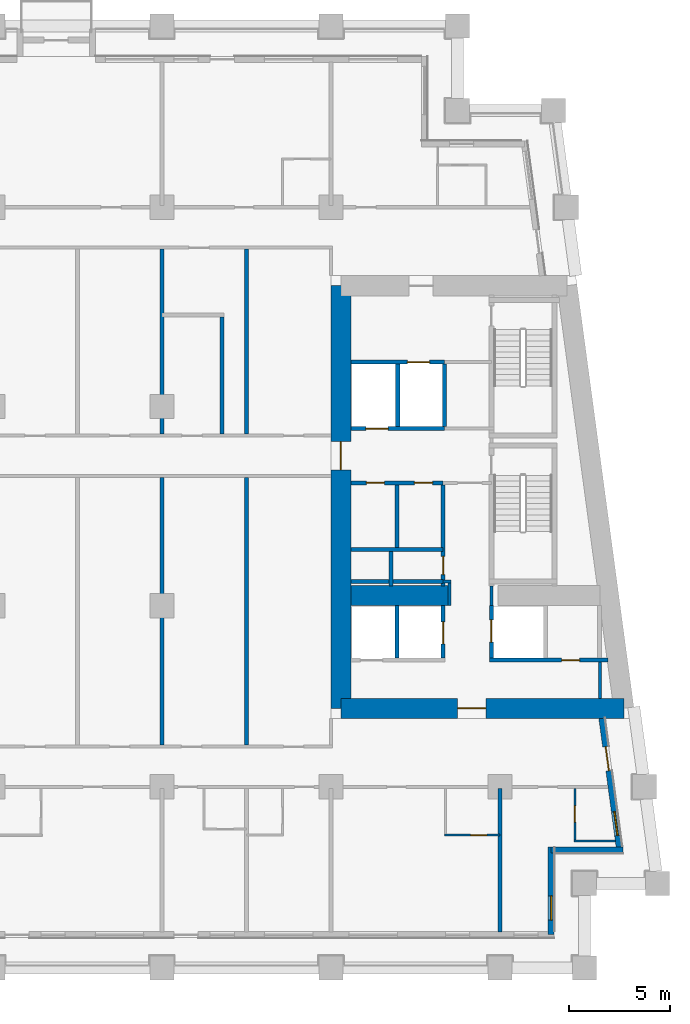
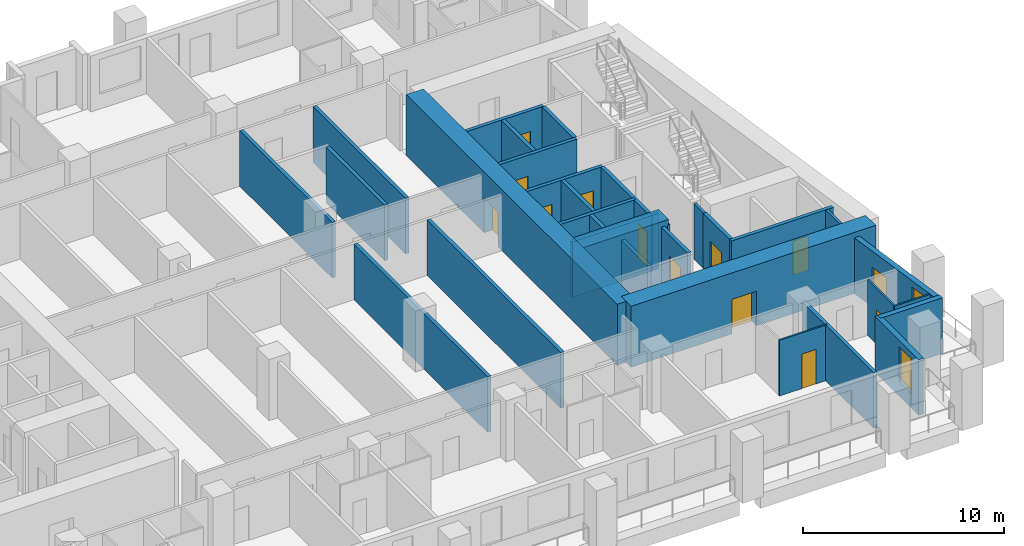
# One storey, part 5 of 13: 33 walls, 13 doors, 2 windows, 15 openings.
"""IFC4 building model written with IfcOpenShell, lengths in metres."""

import ifcopenshell
import ifcopenshell.guid

model = None  # the IFC model being written
_history = None  # IfcOwnerHistory: only IFC2X3 demands one
_inside = {}  # id of a spatial element -> (the spatial element, [elements in it])
_under = {}  # id of a project, library or spatial element -> (it, [spatial elements below it])
_declared = {}  # id of a project -> (the project, [libraries it declares])
_typed = {}  # id of a type object -> (the type object, [elements of that type])
_made_of = {}  # id of a material, layer set ... -> (it, [elements and type objects made of it])


def new_model(schema):
    """Start an empty IFC model of exactly this schema.

    Asked for "IFC4X3", IfcOpenShell would pick the latest addendum, in which some entities
    have other attributes; the version numbers below select the first issue.
    IFC2X3 requires an IfcOwnerHistory on every rooted entity: one is made here for all.
    """
    global model, _history
    if schema == "IFC4X3":
        model = ifcopenshell.file(schema_version=(4, 3, 0, 0))
    else:
        model = ifcopenshell.file(schema=schema)
    _inside.clear()
    _under.clear()
    _declared.clear()
    _typed.clear()
    _made_of.clear()
    _history = None
    if model.schema == "IFC2X3":
        org = make("IfcOrganization", Name="unknown")
        user = make(
            "IfcPersonAndOrganization",
            ThePerson=make("IfcPerson", FamilyName="unknown"),
            TheOrganization=org,
        )
        app = make(
            "IfcApplication",
            ApplicationDeveloper=org,
            Version="unknown",
            ApplicationFullName="unknown",
            ApplicationIdentifier="unknown",
        )
        _history = make(
            "IfcOwnerHistory",
            OwningUser=user,
            OwningApplication=app,
            ChangeAction="ADDED",
            CreationDate=0,
        )
    return model


def make(cls, **values):
    """One entity of the class cls with the attributes given. An attribute that is None is left unset."""
    return model.create_entity(
        cls, **{name: value for name, value in values.items() if value is not None}
    )


def rooted(cls, **values):
    """An entity with a GlobalId (a new one), such as an element, a storey or a relation."""
    return make(cls, GlobalId=ifcopenshell.guid.new(), OwnerHistory=_history, **values)


def si_unit(unit_type, name, prefix=None):
    """IfcSIUnit, for example si_unit("LENGTHUNIT", "METRE", prefix="MILLI")."""
    return make("IfcSIUnit", UnitType=unit_type, Prefix=prefix, Name=name)


def assignment(units):
    """IfcUnitAssignment: the units of a project."""
    return None if units is None else make("IfcUnitAssignment", Units=units)


def point(xyz):
    """IfcCartesianPoint."""
    return None if xyz is None else make("IfcCartesianPoint", Coordinates=xyz)


def direction(xyz):
    """IfcDirection."""
    return None if xyz is None else make("IfcDirection", DirectionRatios=xyz)


def frame(location, z_axis=None, x_axis=None):
    """IfcAxis2Placement3D, a coordinate frame: its origin and axes. An axis left out is left unset."""
    return make(
        "IfcAxis2Placement3D",
        Location=point(location),
        Axis=direction(z_axis),
        RefDirection=direction(x_axis),
    )


def frame_2d(location, x_axis=None):
    """IfcAxis2Placement2D, a coordinate frame in the plane: its origin and x axis."""
    return make(
        "IfcAxis2Placement2D", Location=point(location), RefDirection=direction(x_axis)
    )


def origin():
    """The frame at (0, 0, 0) with its axes left unset."""
    return frame((0.0, 0.0, 0.0))


def place(relative_to, where):
    """IfcLocalPlacement: puts the frame where relative to a parent placement (None: the world)."""
    return make(
        "IfcLocalPlacement", PlacementRelTo=relative_to, RelativePlacement=where
    )


def context(
    kind, dimensions, precision=None, world=None, true_north=None, identifier=None
):
    """IfcGeometricRepresentationContext, for example the 3D "Model" context."""
    return make(
        "IfcGeometricRepresentationContext",
        ContextIdentifier=identifier,
        ContextType=kind,
        CoordinateSpaceDimension=dimensions,
        Precision=precision,
        WorldCoordinateSystem=world,
        TrueNorth=true_north,
    )


def subcontext(parent, identifier, kind, view, scale=None):
    """IfcGeometricRepresentationSubContext, for example "Body" below "Model"."""
    return make(
        "IfcGeometricRepresentationSubContext",
        ContextIdentifier=identifier,
        ContextType=kind,
        ParentContext=parent,
        TargetScale=scale,
        TargetView=view,
    )


def project(units=None, contexts=None):
    """IfcProject with its units and contexts."""
    return rooted(
        "IfcProject",
        Name="project",
        RepresentationContexts=contexts,
        UnitsInContext=assignment(units),
    )


def spatial(cls, under=None, at=None, **own):
    """A site, building, storey or space (cls), placed at a placement, below another one or the project."""
    s = rooted(cls, ObjectPlacement=at, **own)
    if under is not None:
        _under.setdefault(under.id(), (under, []))[1].append(s)
    return s


def profile(cls, at=None, kind="AREA", **sizes):
    """A parametric profile (cls). Its sizes go by their IFC names, for example OverallWidth=200.0."""
    return make(cls, ProfileType=kind, Position=at, **sizes)


def rectangle(**sizes):
    """IfcRectangleProfileDef."""
    return profile("IfcRectangleProfileDef", **sizes)


def extrude(swept, where, along, depth):
    """IfcExtrudedAreaSolid: the profile swept, set in the frame where, extruded along a direction by depth."""
    return make(
        "IfcExtrudedAreaSolid",
        SweptArea=swept,
        Position=where,
        ExtrudedDirection=direction(along),
        Depth=depth,
    )


def shape(context_of_items, identifier, shape_type, items):
    """IfcShapeRepresentation: the items that make up one representation, for example the "Body"."""
    return make(
        "IfcShapeRepresentation",
        ContextOfItems=context_of_items,
        RepresentationIdentifier=identifier,
        RepresentationType=shape_type,
        Items=items,
    )


def material(Name=None, Category=None):
    """IfcMaterial."""
    return make("IfcMaterial", Name=Name, Category=Category)


def layer(
    of_material, thickness, ventilated=None, Name=None, Category=None, Priority=None
):
    """IfcMaterialLayer: one layer of a wall or slab, of a material (None: an air gap)."""
    return make(
        "IfcMaterialLayer",
        Material=of_material,
        LayerThickness=thickness,
        IsVentilated=ventilated,
        Name=Name,
        Category=Category,
        Priority=Priority,
    )


def layer_set(layers, Name=None):
    """IfcMaterialLayerSet."""
    return make("IfcMaterialLayerSet", MaterialLayers=layers, LayerSetName=Name)


def made_of(thing, what):
    """Note that an element or type object is made of a material, layer set ...; save() writes the relation."""
    if what is not None:
        _made_of.setdefault(what.id(), (what, []))[1].append(thing)
    return thing


def type_object(cls, material=None, **own):
    """A type object (cls), such as IfcWallType, which elements share."""
    return made_of(rooted(cls, **own), material)


def element(
    cls,
    number,
    at=None,
    inside=None,
    cuts=None,
    type_object=None,
    material=None,
    context=None,
    identifier="Body",
    shape_type=None,
    held_by="IfcProductDefinitionShape",
    body=None,
    shapes=None,
    **own,
):
    """One element of the class cls, such as IfcWall. Its Tag is "e" and its number.

    at: its placement. inside: the storey or other place that contains it. cuts: it is an
    opening in that element (IfcRelVoidsElement). A single representation is given by context,
    identifier, shape_type and body (its items); several are given by shapes. held_by: the class
    of the entity that holds the representations. save() writes the other relations.
    """
    e = rooted(cls, Tag="e%d" % number, ObjectPlacement=at, **own)
    if body is not None:
        shapes = [shape(context, identifier, shape_type, body)]
    if shapes is not None:
        e.Representation = make(held_by, Representations=shapes)
    if inside is not None:
        _inside.setdefault(inside.id(), (inside, []))[1].append(e)
    if cuts is not None:
        rooted(
            "IfcRelVoidsElement", RelatingBuildingElement=cuts, RelatedOpeningElement=e
        )
    if type_object is not None:
        _typed.setdefault(type_object.id(), (type_object, []))[1].append(e)
    return made_of(e, material)


def fill(opening, filler):
    """IfcRelFillsElement: the door or window that sits in an opening."""
    return rooted(
        "IfcRelFillsElement",
        RelatingOpeningElement=opening,
        RelatedBuildingElement=filler,
    )


def aggregate(whole, parts):
    """IfcRelAggregates: a whole, such as a stair, and the parts it consists of."""
    return rooted("IfcRelAggregates", RelatingObject=whole, RelatedObjects=parts)


def save(model, path):
    """Write the relations noted so far, then the file.

    IfcRelAggregates (storeys below a building ...), IfcRelContainedInSpatialStructure (elements
    in a storey), IfcRelDefinesByType, IfcRelAssociatesMaterial and IfcRelDeclares: one each for
    every whole, place, type object, material and project.
    """
    for whole, parts in _under.values():
        aggregate(whole, parts)
    for where, things in _inside.values():
        rooted(
            "IfcRelContainedInSpatialStructure",
            RelatedElements=things,
            RelatingStructure=where,
        )
    for kind, things in _typed.values():
        rooted("IfcRelDefinesByType", RelatedObjects=things, RelatingType=kind)
    for what, things in _made_of.values():
        rooted("IfcRelAssociatesMaterial", RelatedObjects=things, RelatingMaterial=what)
    for by, libraries in _declared.values():
        rooted("IfcRelDeclares", RelatingContext=by, RelatedDefinitions=libraries)
    model.write(path)


model = new_model("IFC4")

# Units and contexts
model_context = context("Model", 3, precision=1e-05, world=origin(), true_north=direction((0.0, 1.0)))
body_context = subcontext(model_context, "Body", "Model", "MODEL_VIEW")
ifc_project = project(units=[si_unit("LENGTHUNIT", "METRE"), si_unit("AREAUNIT", "SQUARE_METRE"), si_unit("VOLUMEUNIT", "CUBIC_METRE"), si_unit("PLANEANGLEUNIT", "RADIAN"), si_unit("MASSUNIT", "GRAM", prefix="KILO")], contexts=[model_context])

# Site, building, storey
site_placement = place(None, origin())
site = spatial("IfcSite", under=ifc_project, at=site_placement, CompositionType="ELEMENT")
building_placement = place(site_placement, origin())
building = spatial("IfcBuilding", under=site, at=building_placement, Name="Candeia Pilgrim Tower and Theatre", CompositionType="ELEMENT")
storey_placement = place(building_placement, frame((0.0, 0.0, 105.800048828125)))
storey = spatial("IfcBuildingStorey", under=building, at=storey_placement, Name="L24", CompositionType="ELEMENT", Elevation=105.800048828125)

# Wall, opening, door
ifc_material_1 = material(Name="Concrete C70/85", Category="concrete")
ifc_layer_1 = layer(ifc_material_1, 1.0)
ifc_layer_set_1 = layer_set([ifc_layer_1], Name="Core wall 1000 C70/85")
wall_type_1 = type_object("IfcWallType", Name="Core wall 1000 C70/85", PredefinedType="SHEAR", material=ifc_layer_set_1)
wall_1_placement = place(storey_placement, frame((140.558837890625, 110.89990234375, 0.0), z_axis=(0.0, 0.0, 1.0), x_axis=(-1.0, 0.0, 0.0)))
wall_1 = element("IfcWall", 1, at=wall_1_placement, inside=storey, type_object=wall_type_1, Name="Core wall E3", PredefinedType="SHEAR", context=body_context, shape_type="SweptSolid", body=[
    extrude(rectangle(XDim=14.058837890625, YDim=1.0, at=frame_2d((7.029296875, 0.0))), origin(), (0.0, 0.0, 1.0), 3.699951171875),
])
opening_1_placement = place(wall_1_placement, frame((6.857666015625, 0.0, 0.0)))
opening_1 = element("IfcOpeningElement", 2, at=opening_1_placement, cuts=wall_1, Name="Opening L24-D062", PredefinedType="OPENING", context=body_context, shape_type="SweptSolid", body=[
    extrude(rectangle(XDim=1.39990234375, YDim=2.10009765625, at=frame_2d((0.699951171875, 1.050048828125))), frame((0.0, 0.510009765625, 0.0), z_axis=(0.0, -1.0, 0.0), x_axis=(1.0, 0.0, 0.0)), (0.0, 0.0, 1.0), 1.02001953125),
])
ifc_material_2 = material(Name="Steel fire door set", Category="steel")
door_type_1 = type_object("IfcDoorType", Name="D-1400-FD60", OperationType="NOTDEFINED", PredefinedType="DOOR", material=ifc_material_2)
door_1_placement = place(opening_1_placement, origin())
door_1 = element("IfcDoor", 3, at=door_1_placement, inside=storey, type_object=door_type_1, Name="Door L24-D062", OperationType="SINGLE_SWING_RIGHT", OverallHeight=2.10009765625, OverallWidth=1.39990234375, PredefinedType="DOOR", context=body_context, shape_type="SweptSolid", body=[
    extrude(rectangle(XDim=1.39990234375, YDim=2.10009765625, at=frame_2d((0.699951171875, 1.050048828125))), frame((0.0, 0.02490234375, 0.0), z_axis=(0.0, -1.0, 0.0), x_axis=(1.0, 0.0, 0.0)), (0.0, 0.0, 1.0), 0.050048828125),
])
fill(opening_1, door_1)

wall_2_placement = place(storey_placement, frame((126.5, 110.89990234375, 0.0), z_axis=(0.0, 0.0, 1.0), x_axis=(0.0, 1.0, 0.0)))
wall_2 = element("IfcWall", 4, at=wall_2_placement, inside=storey, type_object=wall_type_1, Name="Core wall E4", PredefinedType="SHEAR", context=body_context, shape_type="SweptSolid", body=[
    extrude(rectangle(XDim=21.0, YDim=1.0, at=frame_2d((10.5, 0.0))), origin(), (0.0, 0.0, 1.0), 3.699951171875),
])
opening_2_placement = place(wall_2_placement, frame((11.85009765625, 0.0, 0.0)))
opening_2 = element("IfcOpeningElement", 5, at=opening_2_placement, cuts=wall_2, Name="Opening L24-D064", PredefinedType="OPENING", context=body_context, shape_type="SweptSolid", body=[
    extrude(rectangle(XDim=1.39990234375, YDim=2.10009765625, at=frame_2d((0.699951171875, 1.050048828125))), frame((0.0, 0.510009765625, 0.0), z_axis=(0.0, -1.0, 0.0), x_axis=(1.0, 0.0, 0.0)), (0.0, 0.0, 1.0), 1.02001953125),
])
door_2_placement = place(opening_2_placement, origin())
door_2 = element("IfcDoor", 6, at=door_2_placement, inside=storey, type_object=door_type_1, Name="Door L24-D064", OperationType="SINGLE_SWING_RIGHT", OverallHeight=2.10009765625, OverallWidth=1.39990234375, PredefinedType="DOOR", context=body_context, shape_type="SweptSolid", body=[
    extrude(rectangle(XDim=1.39990234375, YDim=2.10009765625, at=frame_2d((0.699951171875, 1.050048828125))), frame((0.0, 0.02490234375, 0.0), z_axis=(0.0, -1.0, 0.0), x_axis=(1.0, 0.0, 0.0)), (0.0, 0.0, 1.0), 0.050048828125),
])
fill(opening_2, door_2)

# Wall
wall_3_placement = place(storey_placement, frame((127.0, 116.5, 0.0), z_axis=(0.0, 0.0, 1.0), x_axis=(1.0, 0.0, 0.0)))
element("IfcWall", 7, at=wall_3_placement, inside=storey, type_object=wall_type_1, Name="Core wall E5", PredefinedType="SHEAR", context=body_context, shape_type="SweptSolid", body=[
    extrude(rectangle(XDim=4.89990234375, YDim=1.0, at=frame_2d((2.449951171875, 0.0))), origin(), (0.0, 0.0, 1.0), 3.699951171875),
])

# Wall, opening, window
ifc_material_3 = material(Name="Ceramic block masonry", Category="masonry")
ifc_layer_2 = layer(ifc_material_3, 0.300048828125)
ifc_layer_set_2 = layer_set([ifc_layer_2], Name="EW1 glazing-line wall 300")
wall_type_2 = type_object("IfcWallType", Name="EW1 glazing-line wall 300", PredefinedType="SOLIDWALL", material=ifc_layer_set_2)
wall_4_placement = place(storey_placement, frame((136.949951171875, 99.64990234375, 0.0), z_axis=(0.0, 0.0, 1.0), x_axis=(0.0, 1.0, 0.0)))
wall_4 = element("IfcWall", 8, at=wall_4_placement, inside=storey, type_object=wall_type_2, Name="External wall L24-1.0", PredefinedType="SOLIDWALL", context=body_context, shape_type="SweptSolid", body=[
    extrude(rectangle(XDim=4.35009765625, YDim=0.300048828125, at=frame_2d((2.175048828125, 0.0))), origin(), (0.0, 0.0, 1.0), 3.3798828125),
])
opening_3_placement = place(wall_4_placement, frame((0.72509765625, 0.0, 0.89990234375)))
opening_3 = element("IfcOpeningElement", 9, at=opening_3_placement, cuts=wall_4, Name="Opening W-B", PredefinedType="OPENING", context=body_context, shape_type="SweptSolid", body=[
    extrude(rectangle(XDim=1.199951171875, YDim=2.10009765625, at=frame_2d((0.60009765625, 1.050048828125))), frame((0.0, 0.16015625, 0.0), z_axis=(0.0, -1.0, 0.0), x_axis=(1.0, 0.0, 0.0)), (0.0, 0.0, 1.0), 0.320068359375),
])
ifc_material_4 = material(Name="Aluminium framed double glazing", Category="aluminium")
window_type = type_object("IfcWindowType", Name="W-B window 1200x2100", PartitioningType="SINGLE_PANEL", PredefinedType="WINDOW", material=ifc_material_4)
window_1_placement = place(opening_3_placement, origin())
window_1 = element("IfcWindow", 10, at=window_1_placement, inside=storey, type_object=window_type, Name="Window W-B L24", OverallHeight=2.10009765625, OverallWidth=1.199951171875, PartitioningType="SINGLE_PANEL", PredefinedType="WINDOW", context=body_context, shape_type="SweptSolid", body=[
    extrude(rectangle(XDim=1.199951171875, YDim=2.10009765625, at=frame_2d((0.60009765625, 1.050048828125))), frame((0.0, 0.030029296875, 0.0), z_axis=(0.0, -1.0, 0.0), x_axis=(1.0, 0.0, 0.0)), (0.0, 0.0, 1.0), 0.06005859375),
])
fill(opening_3, window_1)

# Wall
wall_5_placement = place(storey_placement, frame((136.949951171875, 103.85009765625, 0.0), z_axis=(0.0, 0.0, 1.0), x_axis=(1.0, 0.0, 0.0)))
element("IfcWall", 11, at=wall_5_placement, inside=storey, type_object=wall_type_2, Name="External wall L24-2.0", PredefinedType="SOLIDWALL", context=body_context, shape_type="SweptSolid", body=[
    extrude(rectangle(XDim=3.569091796875, YDim=0.300048828125, at=frame_2d((1.78466796875, 0.0))), origin(), (0.0, 0.0, 1.0), 3.3798828125),
])

# Wall, openings, door, window
wall_6_placement = place(storey_placement, frame((140.34765625, 103.85009765625, 0.0), z_axis=(0.0, 0.0, 1.0), x_axis=(-0.133431549479, 0.991058031401, 0.0)))
wall_6 = element("IfcWall", 12, at=wall_6_placement, inside=storey, type_object=wall_type_2, Name="External wall L24-3.0", PredefinedType="SOLIDWALL", context=body_context, shape_type="SweptSolid", body=[
    extrude(rectangle(XDim=6.60888671875, YDim=0.300048828125, at=frame_2d((3.304443359375, 0.0))), origin(), (0.0, 0.0, 1.0), 3.3798828125),
])
opening_4_placement = place(wall_6_placement, frame((0.736572265625, 0.0, 0.89990234375)))
opening_4 = element("IfcOpeningElement", 13, at=opening_4_placement, cuts=wall_6, Name="Opening W-B", PredefinedType="OPENING", context=body_context, shape_type="SweptSolid", body=[
    extrude(rectangle(XDim=1.199951171875, YDim=2.10009765625, at=frame_2d((0.60009765625, 1.050048828125))), frame((0.0, 0.16015625, 0.0), z_axis=(0.0, -1.0, 0.0), x_axis=(1.0, 0.0, 0.0)), (0.0, 0.0, 1.0), 0.320068359375),
])
opening_5_placement = place(wall_6_placement, frame((3.990966796875, 0.0, 0.0)))
opening_5 = element("IfcOpeningElement", 14, at=opening_5_placement, cuts=wall_6, Name="Opening L24-ED245", PredefinedType="OPENING", context=body_context, shape_type="SweptSolid", body=[
    extrude(rectangle(XDim=1.199951171875, YDim=2.39990234375, at=frame_2d((0.60009765625, 1.199951171875))), frame((0.0, 0.16015625, 0.0), z_axis=(0.0, -1.0, 0.0), x_axis=(1.0, 0.0, 0.0)), (0.0, 0.0, 1.0), 0.320068359375),
])
ifc_material_5 = material(Name="Aluminium framed glazed door", Category="aluminium")
door_type_2 = type_object("IfcDoorType", Name="Loggia door 1200x2400", OperationType="DOUBLE_DOOR_SINGLE_SWING", PredefinedType="DOOR", material=ifc_material_5)
door_3_placement = place(opening_5_placement, origin())
door_3 = element("IfcDoor", 15, at=door_3_placement, inside=storey, type_object=door_type_2, Name="Loggia door L24-ED245", OperationType="DOUBLE_DOOR_SINGLE_SWING", OverallHeight=2.39990234375, OverallWidth=1.199951171875, PredefinedType="DOOR", context=body_context, shape_type="SweptSolid", body=[
    extrude(rectangle(XDim=1.199951171875, YDim=2.39990234375, at=frame_2d((0.60009765625, 1.199951171875))), frame((0.0, 0.02490234375, 0.0), z_axis=(0.0, -1.0, 0.0), x_axis=(1.0, 0.0, 0.0)), (0.0, 0.0, 1.0), 0.050048828125),
])
fill(opening_5, door_3)
window_2_placement = place(opening_4_placement, origin())
window_2 = element("IfcWindow", 16, at=window_2_placement, inside=storey, type_object=window_type, Name="Window W-B L24", OverallHeight=2.10009765625, OverallWidth=1.199951171875, PartitioningType="SINGLE_PANEL", PredefinedType="WINDOW", context=body_context, shape_type="SweptSolid", body=[
    extrude(rectangle(XDim=1.199951171875, YDim=2.10009765625, at=frame_2d((0.60009765625, 1.050048828125))), frame((0.0, 0.030029296875, 0.0), z_axis=(0.0, -1.0, 0.0), x_axis=(1.0, 0.0, 0.0)), (0.0, 0.0, 1.0), 0.06005859375),
])
fill(opening_4, window_2)

# Wall
ifc_material_6 = material(Name="Gypsum board partition on steel studs", Category="steel")
ifc_layer_3 = layer(ifc_material_6, 0.10009765625)
ifc_layer_set_3 = layer_set([ifc_layer_3], Name="PW-100 room partition")
wall_type_3 = type_object("IfcWallType", Name="PW-100 room partition", PredefinedType="PARTITIONING", material=ifc_layer_set_3)
wall_7_placement = place(storey_placement, frame((138.070068359375, 104.300048828125, 0.0), z_axis=(0.0, 0.0, 1.0), x_axis=(1.0, 0.0, 0.0)))
element("IfcWall", 17, at=wall_7_placement, inside=storey, type_object=wall_type_3, Name="Room partition L24-002", PredefinedType="PARTITIONING", context=body_context, shape_type="SweptSolid", body=[
    extrude(rectangle(XDim=2.07568359375, YDim=0.10009765625, at=frame_2d((1.037841796875, 0.0))), origin(), (0.0, 0.0, 1.0), 3.3798828125),
])

# Wall, opening, door
wall_8_placement = place(storey_placement, frame((131.64990234375, 104.60009765625, 0.0), z_axis=(0.0, 0.0, 1.0), x_axis=(1.0, 0.0, 0.0)))
wall_8 = element("IfcWall", 18, at=wall_8_placement, inside=storey, type_object=wall_type_3, Name="Room partition L24-006", PredefinedType="PARTITIONING", context=body_context, shape_type="SweptSolid", body=[
    extrude(rectangle(XDim=2.75, YDim=0.10009765625, at=frame_2d((1.375, 0.0))), origin(), (0.0, 0.0, 1.0), 3.3798828125),
])
opening_6_placement = place(wall_8_placement, frame((1.300048828125, 0.0, 0.0)))
opening_6 = element("IfcOpeningElement", 19, at=opening_6_placement, cuts=wall_8, Name="Opening L24-D031", PredefinedType="OPENING", context=body_context, shape_type="SweptSolid", body=[
    extrude(rectangle(XDim=0.800048828125, YDim=2.10009765625, at=frame_2d((0.39990234375, 1.050048828125))), frame((0.0, 0.06005859375, 0.0), z_axis=(0.0, -1.0, 0.0), x_axis=(1.0, 0.0, 0.0)), (0.0, 0.0, 1.0), 0.1201171875),
])
ifc_material_7 = material(Name="Timber door leaf", Category="wood")
door_type_3 = type_object("IfcDoorType", Name="D-800", OperationType="NOTDEFINED", PredefinedType="DOOR", material=ifc_material_7)
door_4_placement = place(opening_6_placement, origin())
door_4 = element("IfcDoor", 20, at=door_4_placement, inside=storey, type_object=door_type_3, Name="Door L24-D031", OperationType="SINGLE_SWING_LEFT", OverallHeight=2.10009765625, OverallWidth=0.800048828125, PredefinedType="DOOR", context=body_context, shape_type="SweptSolid", body=[
    extrude(rectangle(XDim=0.800048828125, YDim=2.10009765625, at=frame_2d((0.39990234375, 1.050048828125))), frame((0.0, 0.02490234375, 0.0), z_axis=(0.0, -1.0, 0.0), x_axis=(1.0, 0.0, 0.0)), (0.0, 0.0, 1.0), 0.050048828125),
])
fill(opening_6, door_4)

wall_9_placement = place(storey_placement, frame((138.1201171875, 104.35009765625, 0.0), z_axis=(0.0, 0.0, 1.0), x_axis=(0.0, 1.0, 0.0)))
wall_9 = element("IfcWall", 21, at=wall_9_placement, inside=storey, type_object=wall_type_3, Name="Room partition L24-123", PredefinedType="PARTITIONING", context=body_context, shape_type="SweptSolid", body=[
    extrude(rectangle(XDim=2.574951171875, YDim=0.10009765625, at=frame_2d((1.28759765625, 0.0))), origin(), (0.0, 0.0, 1.0), 3.3798828125),
])
opening_7_placement = place(wall_9_placement, frame((0.89990234375, 0.0, 0.0)))
opening_7 = element("IfcOpeningElement", 22, at=opening_7_placement, cuts=wall_9, Name="Opening L24-D033", PredefinedType="OPENING", context=body_context, shape_type="SweptSolid", body=[
    extrude(rectangle(XDim=0.800048828125, YDim=2.10009765625, at=frame_2d((0.39990234375, 1.050048828125))), frame((0.0, 0.06005859375, 0.0), z_axis=(0.0, -1.0, 0.0), x_axis=(1.0, 0.0, 0.0)), (0.0, 0.0, 1.0), 0.1201171875),
])
door_5_placement = place(opening_7_placement, origin())
door_5 = element("IfcDoor", 23, at=door_5_placement, inside=storey, type_object=door_type_3, Name="Door L24-D033", OperationType="SINGLE_SWING_LEFT", OverallHeight=2.10009765625, OverallWidth=0.800048828125, PredefinedType="DOOR", context=body_context, shape_type="SweptSolid", body=[
    extrude(rectangle(XDim=0.800048828125, YDim=2.10009765625, at=frame_2d((0.39990234375, 1.050048828125))), frame((0.0, 0.02490234375, 0.0), z_axis=(0.0, -1.0, 0.0), x_axis=(1.0, 0.0, 0.0)), (0.0, 0.0, 1.0), 0.050048828125),
])
fill(opening_7, door_5)

# Walls
ifc_layer_4 = layer(ifc_material_6, 0.14990234375)
ifc_layer_set_4 = layer_set([ifc_layer_4], Name="PW-150 lobby wall")
wall_type_4 = type_object("IfcWallType", Name="PW-150 lobby wall", PredefinedType="PARTITIONING", material=ifc_layer_set_4)
wall_10_placement = place(storey_placement, frame((131.572998046875, 117.199951171875, 0.0), z_axis=(0.0, 0.0, 1.0), x_axis=(1.0, 0.0, 0.0)))
element("IfcWall", 24, at=wall_10_placement, inside=storey, type_object=wall_type_4, Name="Lobby wall L24-018", PredefinedType="PARTITIONING", context=body_context, shape_type="SweptSolid", body=[
    extrude(rectangle(XDim=0.402099609375, YDim=0.14990234375, at=frame_2d((0.201171875, 0.0))), origin(), (0.0, 0.0, 1.0), 3.3798828125),
])
wall_11_placement = place(storey_placement, frame((131.89990234375, 116.0, 0.0), z_axis=(0.0, 0.0, 1.0), x_axis=(0.0, 1.0, 0.0)))
element("IfcWall", 25, at=wall_11_placement, inside=storey, type_object=wall_type_4, Name="Lobby wall L24-112", PredefinedType="PARTITIONING", context=body_context, shape_type="SweptSolid", body=[
    extrude(rectangle(XDim=1.125, YDim=0.14990234375, at=frame_2d((0.5625, 0.0))), origin(), (0.0, 0.0, 1.0), 3.3798828125),
])
wall_12_placement = place(storey_placement, frame((133.972900390625, 116.0, 0.0), z_axis=(0.0, 0.0, 1.0), x_axis=(0.0, 1.0, 0.0)))
element("IfcWall", 26, at=wall_12_placement, inside=storey, type_object=wall_type_4, Name="Lobby wall L24-115", PredefinedType="PARTITIONING", context=body_context, shape_type="SweptSolid", body=[
    extrude(rectangle(XDim=0.969970703125, YDim=0.14990234375, at=frame_2d((0.48486328125, 0.0))), origin(), (0.0, 0.0, 1.0), 3.3798828125),
])
wall_13_placement = place(storey_placement, frame((139.37109375, 111.39990234375, 0.0), z_axis=(0.0, 0.0, 1.0), x_axis=(0.0, 1.0, 0.0)))
element("IfcWall", 27, at=wall_13_placement, inside=storey, type_object=wall_type_4, Name="Lobby wall L24-125", PredefinedType="PARTITIONING", context=body_context, shape_type="SweptSolid", body=[
    extrude(rectangle(XDim=1.800048828125, YDim=0.14990234375, at=frame_2d((0.89990234375, 0.0))), origin(), (0.0, 0.0, 1.0), 3.3798828125),
])
ifc_layer_5 = layer(ifc_material_6, 0.199951171875)
ifc_layer_set_5 = layer_set([ifc_layer_5], Name="PW-200 party wall")
wall_type_5 = type_object("IfcWallType", Name="PW-200 party wall", PredefinedType="PARTITIONING", material=ifc_layer_set_5)
wall_14_placement = place(storey_placement, frame((117.60009765625, 109.074951171875, 0.0), z_axis=(0.0, 0.0, 1.0), x_axis=(0.0, 1.0, 0.0)))
element("IfcWall", 28, at=wall_14_placement, inside=storey, type_object=wall_type_5, Name="Party wall L24-089", PredefinedType="PARTITIONING", context=body_context, shape_type="SweptSolid", body=[
    extrude(rectangle(XDim=13.300048828125, YDim=0.199951171875, at=frame_2d((6.64990234375, 0.0))), origin(), (0.0, 0.0, 1.0), 3.3798828125),
])
wall_15_placement = place(storey_placement, frame((117.60009765625, 124.52490234375, 0.0), z_axis=(0.0, 0.0, 1.0), x_axis=(0.0, 1.0, 0.0)))
element("IfcWall", 29, at=wall_15_placement, inside=storey, type_object=wall_type_5, Name="Party wall L24-090", PredefinedType="PARTITIONING", context=body_context, shape_type="SweptSolid", body=[
    extrude(rectangle(XDim=9.2001953125, YDim=0.199951171875, at=frame_2d((4.60009765625, 0.0))), origin(), (0.0, 0.0, 1.0), 3.3798828125),
])
wall_16_placement = place(storey_placement, frame((120.60009765625, 124.52490234375, 0.0), z_axis=(0.0, 0.0, 1.0), x_axis=(0.0, 1.0, 0.0)))
element("IfcWall", 30, at=wall_16_placement, inside=storey, type_object=wall_type_5, Name="Party wall L24-093", PredefinedType="PARTITIONING", context=body_context, shape_type="SweptSolid", body=[
    extrude(rectangle(XDim=5.8251953125, YDim=0.199951171875, at=frame_2d((2.91259765625, 0.0))), origin(), (0.0, 0.0, 1.0), 3.3798828125),
])
wall_17_placement = place(storey_placement, frame((121.800048828125, 109.074951171875, 0.0), z_axis=(0.0, 0.0, 1.0), x_axis=(0.0, 1.0, 0.0)))
element("IfcWall", 31, at=wall_17_placement, inside=storey, type_object=wall_type_5, Name="Party wall L24-095", PredefinedType="PARTITIONING", context=body_context, shape_type="SweptSolid", body=[
    extrude(rectangle(XDim=13.300048828125, YDim=0.199951171875, at=frame_2d((6.64990234375, 0.0))), origin(), (0.0, 0.0, 1.0), 3.3798828125),
])
wall_18_placement = place(storey_placement, frame((121.800048828125, 124.52490234375, 0.0), z_axis=(0.0, 0.0, 1.0), x_axis=(0.0, 1.0, 0.0)))
element("IfcWall", 32, at=wall_18_placement, inside=storey, type_object=wall_type_5, Name="Party wall L24-096", PredefinedType="PARTITIONING", context=body_context, shape_type="SweptSolid", body=[
    extrude(rectangle(XDim=9.2001953125, YDim=0.199951171875, at=frame_2d((4.60009765625, 0.0))), origin(), (0.0, 0.0, 1.0), 3.3798828125),
])
wall_19_placement = place(storey_placement, frame((134.39990234375, 99.7900390625, 0.0), z_axis=(0.0, 0.0, 1.0), x_axis=(0.0, 1.0, 0.0)))
element("IfcWall", 33, at=wall_19_placement, inside=storey, type_object=wall_type_5, Name="Party wall L24-119", PredefinedType="PARTITIONING", context=body_context, shape_type="SweptSolid", body=[
    extrude(rectangle(XDim=7.135009765625, YDim=0.199951171875, at=frame_2d((3.5673828125, 0.0))), origin(), (0.0, 0.0, 1.0), 3.3798828125),
])

# Wall, opening, door
ifc_material_8 = material(Name="Concrete C40/50", Category="concrete")
ifc_layer_6 = layer(ifc_material_8, 0.199951171875)
ifc_layer_set_6 = layer_set([ifc_layer_6], Name="SW-200 shaft wall")
wall_type_6 = type_object("IfcWallType", Name="SW-200 shaft wall", PredefinedType="PARTITIONING", material=ifc_layer_set_6)
wall_20_placement = place(storey_placement, frame((133.873046875, 113.300048828125, 0.0), z_axis=(0.0, 0.0, 1.0), x_axis=(1.0, 0.0, 0.0)))
wall_20 = element("IfcWall", 34, at=wall_20_placement, inside=storey, type_object=wall_type_6, Name="Shaft wall L24-014", PredefinedType="PARTITIONING", context=body_context, shape_type="SweptSolid", body=[
    extrude(rectangle(XDim=5.888427734375, YDim=0.199951171875, at=frame_2d((2.9443359375, 0.0))), origin(), (0.0, 0.0, 1.0), 3.3798828125),
])
opening_8_placement = place(wall_20_placement, frame((3.589111328125, 0.0, 0.0)))
opening_8 = element("IfcOpeningElement", 35, at=opening_8_placement, cuts=wall_20, Name="Opening L24-D015", PredefinedType="OPENING", context=body_context, shape_type="SweptSolid", body=[
    extrude(rectangle(XDim=0.89990234375, YDim=2.10009765625, at=frame_2d((0.449951171875, 1.050048828125))), frame((0.0, 0.10986328125, 0.0), z_axis=(0.0, -1.0, 0.0), x_axis=(1.0, 0.0, 0.0)), (0.0, 0.0, 1.0), 0.219970703125),
])
door_type_4 = type_object("IfcDoorType", Name="D-900-FD60", OperationType="NOTDEFINED", PredefinedType="DOOR", material=ifc_material_2)
door_6_placement = place(opening_8_placement, origin())
door_6 = element("IfcDoor", 36, at=door_6_placement, inside=storey, type_object=door_type_4, Name="Door L24-D015", OperationType="SINGLE_SWING_LEFT", OverallHeight=2.10009765625, OverallWidth=0.89990234375, PredefinedType="DOOR", context=body_context, shape_type="SweptSolid", body=[
    extrude(rectangle(XDim=0.89990234375, YDim=2.10009765625, at=frame_2d((0.449951171875, 1.050048828125))), frame((0.0, 0.02490234375, 0.0), z_axis=(0.0, -1.0, 0.0), x_axis=(1.0, 0.0, 0.0)), (0.0, 0.0, 1.0), 0.050048828125),
])
fill(opening_8, door_6)

# Walls
for number, where, z_axis, x_axis, name in (
    (37, (127.0, 117.199951171875, 0.0), (0.0, 0.0, 1.0), (1.0, 0.0, 0.0), "Shaft wall L24-016"),
    (38, (127.0, 118.800048828125, 0.0), (0.0, 0.0, 1.0), (1.0, 0.0, 0.0), "Shaft wall L24-022"),
):
    element("IfcWall", number, at=place(storey_placement, frame(where, z_axis=z_axis, x_axis=x_axis)), inside=storey, type_object=wall_type_6, Name=name, PredefinedType="PARTITIONING", context=body_context, shape_type="SweptSolid", body=[
        extrude(rectangle(XDim=4.572998046875, YDim=0.199951171875, at=frame_2d((2.28662109375, 0.0))), origin(), (0.0, 0.0, 1.0), 3.3798828125),
    ])

# Wall, openings, doors
wall_21_placement = place(storey_placement, frame((127.0, 122.10009765625, 0.0), z_axis=(0.0, 0.0, 1.0), x_axis=(1.0, 0.0, 0.0)))
wall_21 = element("IfcWall", 39, at=wall_21_placement, inside=storey, type_object=wall_type_6, Name="Shaft wall L24-024", PredefinedType="PARTITIONING", context=body_context, shape_type="SweptSolid", body=[
    extrude(rectangle(XDim=4.572998046875, YDim=0.199951171875, at=frame_2d((2.28662109375, 0.0))), origin(), (0.0, 0.0, 1.0), 3.3798828125),
])
opening_9_placement = place(wall_21_placement, frame((3.15087890625, 0.0, 0.0)))
opening_9 = element("IfcOpeningElement", 40, at=opening_9_placement, cuts=wall_21, Name="Opening L24-D010", PredefinedType="OPENING", context=body_context, shape_type="SweptSolid", body=[
    extrude(rectangle(XDim=0.89990234375, YDim=2.10009765625, at=frame_2d((0.449951171875, 1.050048828125))), frame((0.0, 0.10986328125, 0.0), z_axis=(0.0, -1.0, 0.0), x_axis=(1.0, 0.0, 0.0)), (0.0, 0.0, 1.0), 0.219970703125),
])
opening_10_placement = place(wall_21_placement, frame((0.761962890625, 0.0, 0.0)))
opening_10 = element("IfcOpeningElement", 41, at=opening_10_placement, cuts=wall_21, Name="Opening L24-D011", PredefinedType="OPENING", context=body_context, shape_type="SweptSolid", body=[
    extrude(rectangle(XDim=0.89990234375, YDim=2.10009765625, at=frame_2d((0.449951171875, 1.050048828125))), frame((0.0, 0.10986328125, 0.0), z_axis=(0.0, -1.0, 0.0), x_axis=(1.0, 0.0, 0.0)), (0.0, 0.0, 1.0), 0.219970703125),
])
door_7_placement = place(opening_9_placement, origin())
door_7 = element("IfcDoor", 42, at=door_7_placement, inside=storey, type_object=door_type_4, Name="Door L24-D010", OperationType="SINGLE_SWING_LEFT", OverallHeight=2.10009765625, OverallWidth=0.89990234375, PredefinedType="DOOR", context=body_context, shape_type="SweptSolid", body=[
    extrude(rectangle(XDim=0.89990234375, YDim=2.10009765625, at=frame_2d((0.449951171875, 1.050048828125))), frame((0.0, 0.02490234375, 0.0), z_axis=(0.0, -1.0, 0.0), x_axis=(1.0, 0.0, 0.0)), (0.0, 0.0, 1.0), 0.050048828125),
])
fill(opening_9, door_7)
door_8_placement = place(opening_10_placement, origin())
door_8 = element("IfcDoor", 43, at=door_8_placement, inside=storey, type_object=door_type_4, Name="Door L24-D011", OperationType="SINGLE_SWING_RIGHT", OverallHeight=2.10009765625, OverallWidth=0.89990234375, PredefinedType="DOOR", context=body_context, shape_type="SweptSolid", body=[
    extrude(rectangle(XDim=0.89990234375, YDim=2.10009765625, at=frame_2d((0.449951171875, 1.050048828125))), frame((0.0, 0.02490234375, 0.0), z_axis=(0.0, -1.0, 0.0), x_axis=(1.0, 0.0, 0.0)), (0.0, 0.0, 1.0), 0.050048828125),
])
fill(opening_10, door_8)

# Wall, opening, door
wall_22_placement = place(storey_placement, frame((127.0, 124.800048828125, 0.0), z_axis=(0.0, 0.0, 1.0), x_axis=(1.0, 0.0, 0.0)))
wall_22 = element("IfcWall", 44, at=wall_22_placement, inside=storey, type_object=wall_type_6, Name="Shaft wall L24-034", PredefinedType="PARTITIONING", context=body_context, shape_type="SweptSolid", body=[
    extrude(rectangle(XDim=4.648681640625, YDim=0.199951171875, at=frame_2d((2.32421875, 0.0))), origin(), (0.0, 0.0, 1.0), 3.3798828125),
])
opening_11_placement = place(wall_22_placement, frame((0.742919921875, 0.0, 0.0)))
opening_11 = element("IfcOpeningElement", 45, at=opening_11_placement, cuts=wall_22, Name="Opening L24-LD05", PredefinedType="OPENING", context=body_context, shape_type="SweptSolid", body=[
    extrude(rectangle(XDim=1.10009765625, YDim=2.10009765625, at=frame_2d((0.550048828125, 1.050048828125))), frame((0.0, 0.10986328125, 0.0), z_axis=(0.0, -1.0, 0.0), x_axis=(1.0, 0.0, 0.0)), (0.0, 0.0, 1.0), 0.219970703125),
])
ifc_material_9 = material(Name="Glazed aluminium landing door", Category="aluminium")
door_type_5 = type_object("IfcDoorType", Name="LD-1100-EI120", OperationType="SLIDING_TO_LEFT", PredefinedType="DOOR", material=ifc_material_9)
door_9_placement = place(opening_11_placement, origin())
door_9 = element("IfcDoor", 46, at=door_9_placement, inside=storey, type_object=door_type_5, Name="Landing door 05 L24", OperationType="SLIDING_TO_LEFT", OverallHeight=2.10009765625, OverallWidth=1.10009765625, PredefinedType="DOOR", context=body_context, shape_type="SweptSolid", body=[
    extrude(rectangle(XDim=1.10009765625, YDim=2.10009765625, at=frame_2d((0.550048828125, 1.050048828125))), frame((0.0, 0.02490234375, 0.0), z_axis=(0.0, -1.0, 0.0), x_axis=(1.0, 0.0, 0.0)), (0.0, 0.0, 1.0), 0.050048828125),
])
fill(opening_11, door_9)

wall_23_placement = place(storey_placement, frame((127.0, 128.10009765625, 0.0), z_axis=(0.0, 0.0, 1.0), x_axis=(1.0, 0.0, 0.0)))
wall_23 = element("IfcWall", 47, at=wall_23_placement, inside=storey, type_object=wall_type_6, Name="Shaft wall L24-037", PredefinedType="PARTITIONING", context=body_context, shape_type="SweptSolid", body=[
    extrude(rectangle(XDim=4.648681640625, YDim=0.199951171875, at=frame_2d((2.32421875, 0.0))), origin(), (0.0, 0.0, 1.0), 3.3798828125),
])
opening_12_placement = place(wall_23_placement, frame((2.804931640625, 0.0, 0.0)))
opening_12 = element("IfcOpeningElement", 48, at=opening_12_placement, cuts=wall_23, Name="Opening L24-LD04", PredefinedType="OPENING", context=body_context, shape_type="SweptSolid", body=[
    extrude(rectangle(XDim=1.10009765625, YDim=2.10009765625, at=frame_2d((0.550048828125, 1.050048828125))), frame((0.0, 0.10986328125, 0.0), z_axis=(0.0, -1.0, 0.0), x_axis=(1.0, 0.0, 0.0)), (0.0, 0.0, 1.0), 0.219970703125),
])
door_10_placement = place(opening_12_placement, origin())
door_10 = element("IfcDoor", 49, at=door_10_placement, inside=storey, type_object=door_type_5, Name="Landing door 04 L24", OperationType="SLIDING_TO_LEFT", OverallHeight=2.10009765625, OverallWidth=1.10009765625, PredefinedType="DOOR", context=body_context, shape_type="SweptSolid", body=[
    extrude(rectangle(XDim=1.10009765625, YDim=2.10009765625, at=frame_2d((0.550048828125, 1.050048828125))), frame((0.0, 0.02490234375, 0.0), z_axis=(0.0, -1.0, 0.0), x_axis=(1.0, 0.0, 0.0)), (0.0, 0.0, 1.0), 0.050048828125),
])
fill(opening_12, door_10)

# Walls
wall_24_placement = place(storey_placement, frame((129.0, 116.969970703125, 0.0), z_axis=(0.0, 0.0, 1.0), x_axis=(0.0, 1.0, 0.0)))
element("IfcWall", 50, at=wall_24_placement, inside=storey, type_object=wall_type_6, Name="Shaft wall L24-103", PredefinedType="PARTITIONING", context=body_context, shape_type="SweptSolid", body=[
    extrude(rectangle(XDim=1.72998046875, YDim=0.199951171875, at=frame_2d((0.864990234375, 0.0))), origin(), (0.0, 0.0, 1.0), 3.3798828125),
])
wall_25_placement = place(storey_placement, frame((129.28662109375, 113.39990234375, 0.0), z_axis=(0.0, 0.0, 1.0), x_axis=(0.0, 1.0, 0.0)))
element("IfcWall", 51, at=wall_25_placement, inside=storey, type_object=wall_type_6, Name="Shaft wall L24-104", PredefinedType="PARTITIONING", context=body_context, shape_type="SweptSolid", body=[
    extrude(rectangle(XDim=2.60009765625, YDim=0.199951171875, at=frame_2d((1.300048828125, 0.0))), origin(), (0.0, 0.0, 1.0), 3.3798828125),
])
for number, where, z_axis, x_axis, name in (
    (52, (129.28662109375, 118.89990234375, 0.0), (0.0, 0.0, 1.0), (0.0, 1.0, 0.0), "Shaft wall L24-105"),
    (53, (129.32421875, 124.89990234375, 0.0), (0.0, 0.0, 1.0), (0.0, 1.0, 0.0), "Shaft wall L24-106"),
):
    element("IfcWall", number, at=place(storey_placement, frame(where, z_axis=z_axis, x_axis=x_axis)), inside=storey, type_object=wall_type_6, Name=name, PredefinedType="PARTITIONING", context=body_context, shape_type="SweptSolid", body=[
        extrude(rectangle(XDim=3.10009765625, YDim=0.199951171875, at=frame_2d((1.550048828125, 0.0))), origin(), (0.0, 0.0, 1.0), 3.3798828125),
    ])

# Wall, opening, door
wall_26_placement = place(storey_placement, frame((131.572998046875, 113.39990234375, 0.0), z_axis=(0.0, 0.0, 1.0), x_axis=(0.0, 1.0, 0.0)))
wall_26 = element("IfcWall", 54, at=wall_26_placement, inside=storey, type_object=wall_type_6, Name="Shaft wall L24-108", PredefinedType="PARTITIONING", context=body_context, shape_type="SweptSolid", body=[
    extrude(rectangle(XDim=2.60009765625, YDim=0.199951171875, at=frame_2d((1.300048828125, 0.0))), origin(), (0.0, 0.0, 1.0), 3.3798828125),
])
opening_13_placement = place(wall_26_placement, frame((0.699951171875, 0.0, 0.0)))
opening_13 = element("IfcOpeningElement", 55, at=opening_13_placement, cuts=wall_26, Name="Opening L24-LD07", PredefinedType="OPENING", context=body_context, shape_type="SweptSolid", body=[
    extrude(rectangle(XDim=1.10009765625, YDim=2.10009765625, at=frame_2d((0.550048828125, 1.050048828125))), frame((0.0, 0.10986328125, 0.0), z_axis=(0.0, -1.0, 0.0), x_axis=(1.0, 0.0, 0.0)), (0.0, 0.0, 1.0), 0.219970703125),
])
door_11_placement = place(opening_13_placement, origin())
door_11 = element("IfcDoor", 56, at=door_11_placement, inside=storey, type_object=door_type_5, Name="Landing door 07 L24", OperationType="SLIDING_TO_LEFT", OverallHeight=2.10009765625, OverallWidth=1.10009765625, PredefinedType="DOOR", context=body_context, shape_type="SweptSolid", body=[
    extrude(rectangle(XDim=1.10009765625, YDim=2.10009765625, at=frame_2d((0.550048828125, 1.050048828125))), frame((0.0, 0.02490234375, 0.0), z_axis=(0.0, -1.0, 0.0), x_axis=(1.0, 0.0, 0.0)), (0.0, 0.0, 1.0), 0.050048828125),
])
fill(opening_13, door_11)

wall_27_placement = place(storey_placement, frame((131.572998046875, 116.969970703125, 0.0), z_axis=(0.0, 0.0, 1.0), x_axis=(0.0, 1.0, 0.0)))
wall_27 = element("IfcWall", 57, at=wall_27_placement, inside=storey, type_object=wall_type_6, Name="Shaft wall L24-109", PredefinedType="PARTITIONING", context=body_context, shape_type="SweptSolid", body=[
    extrude(rectangle(XDim=5.030029296875, YDim=0.199951171875, at=frame_2d((2.51513671875, 0.0))), origin(), (0.0, 0.0, 1.0), 3.3798828125),
])
opening_14_placement = place(wall_27_placement, frame((0.580078125, 0.0, 0.0)))
opening_14 = element("IfcOpeningElement", 58, at=opening_14_placement, cuts=wall_27, Name="Opening L24-D014", PredefinedType="OPENING", context=body_context, shape_type="SweptSolid", body=[
    extrude(rectangle(XDim=0.89990234375, YDim=2.10009765625, at=frame_2d((0.449951171875, 1.050048828125))), frame((0.0, 0.10986328125, 0.0), z_axis=(0.0, -1.0, 0.0), x_axis=(1.0, 0.0, 0.0)), (0.0, 0.0, 1.0), 0.219970703125),
])
door_12_placement = place(opening_14_placement, origin())
door_12 = element("IfcDoor", 59, at=door_12_placement, inside=storey, type_object=door_type_4, Name="Door L24-D014", OperationType="SINGLE_SWING_LEFT", OverallHeight=2.10009765625, OverallWidth=0.89990234375, PredefinedType="DOOR", context=body_context, shape_type="SweptSolid", body=[
    extrude(rectangle(XDim=0.89990234375, YDim=2.10009765625, at=frame_2d((0.449951171875, 1.050048828125))), frame((0.0, 0.02490234375, 0.0), z_axis=(0.0, -1.0, 0.0), x_axis=(1.0, 0.0, 0.0)), (0.0, 0.0, 1.0), 0.050048828125),
])
fill(opening_14, door_12)

# Wall
wall_28_placement = place(storey_placement, frame((131.648681640625, 124.89990234375, 0.0), z_axis=(0.0, 0.0, 1.0), x_axis=(0.0, 1.0, 0.0)))
element("IfcWall", 60, at=wall_28_placement, inside=storey, type_object=wall_type_6, Name="Shaft wall L24-110", PredefinedType="PARTITIONING", context=body_context, shape_type="SweptSolid", body=[
    extrude(rectangle(XDim=3.10009765625, YDim=0.199951171875, at=frame_2d((1.550048828125, 0.0))), origin(), (0.0, 0.0, 1.0), 3.3798828125),
])

# Wall, opening, door
wall_29_placement = place(storey_placement, frame((133.972900390625, 113.39990234375, 0.0), z_axis=(0.0, 0.0, 1.0), x_axis=(0.0, 1.0, 0.0)))
wall_29 = element("IfcWall", 61, at=wall_29_placement, inside=storey, type_object=wall_type_6, Name="Shaft wall L24-114", PredefinedType="PARTITIONING", context=body_context, shape_type="SweptSolid", body=[
    extrude(rectangle(XDim=2.60009765625, YDim=0.199951171875, at=frame_2d((1.300048828125, 0.0))), origin(), (0.0, 0.0, 1.0), 3.3798828125),
])
opening_15_placement = place(wall_29_placement, frame((0.7900390625, 0.0, 0.0)))
opening_15 = element("IfcOpeningElement", 62, at=opening_15_placement, cuts=wall_29, Name="Opening L24-LD06", PredefinedType="OPENING", context=body_context, shape_type="SweptSolid", body=[
    extrude(rectangle(XDim=1.10009765625, YDim=2.10009765625, at=frame_2d((0.550048828125, 1.050048828125))), frame((0.0, 0.10986328125, 0.0), z_axis=(0.0, -1.0, 0.0), x_axis=(1.0, 0.0, 0.0)), (0.0, 0.0, 1.0), 0.219970703125),
])
door_13_placement = place(opening_15_placement, origin())
door_13 = element("IfcDoor", 63, at=door_13_placement, inside=storey, type_object=door_type_5, Name="Landing door 06 L24", OperationType="SLIDING_TO_LEFT", OverallHeight=2.10009765625, OverallWidth=1.10009765625, PredefinedType="DOOR", context=body_context, shape_type="SweptSolid", body=[
    extrude(rectangle(XDim=1.10009765625, YDim=2.10009765625, at=frame_2d((0.550048828125, 1.050048828125))), frame((0.0, 0.02490234375, 0.0), z_axis=(0.0, -1.0, 0.0), x_axis=(1.0, 0.0, 0.0)), (0.0, 0.0, 1.0), 0.050048828125),
])
fill(opening_15, door_13)

save(model, "model.ifc")
